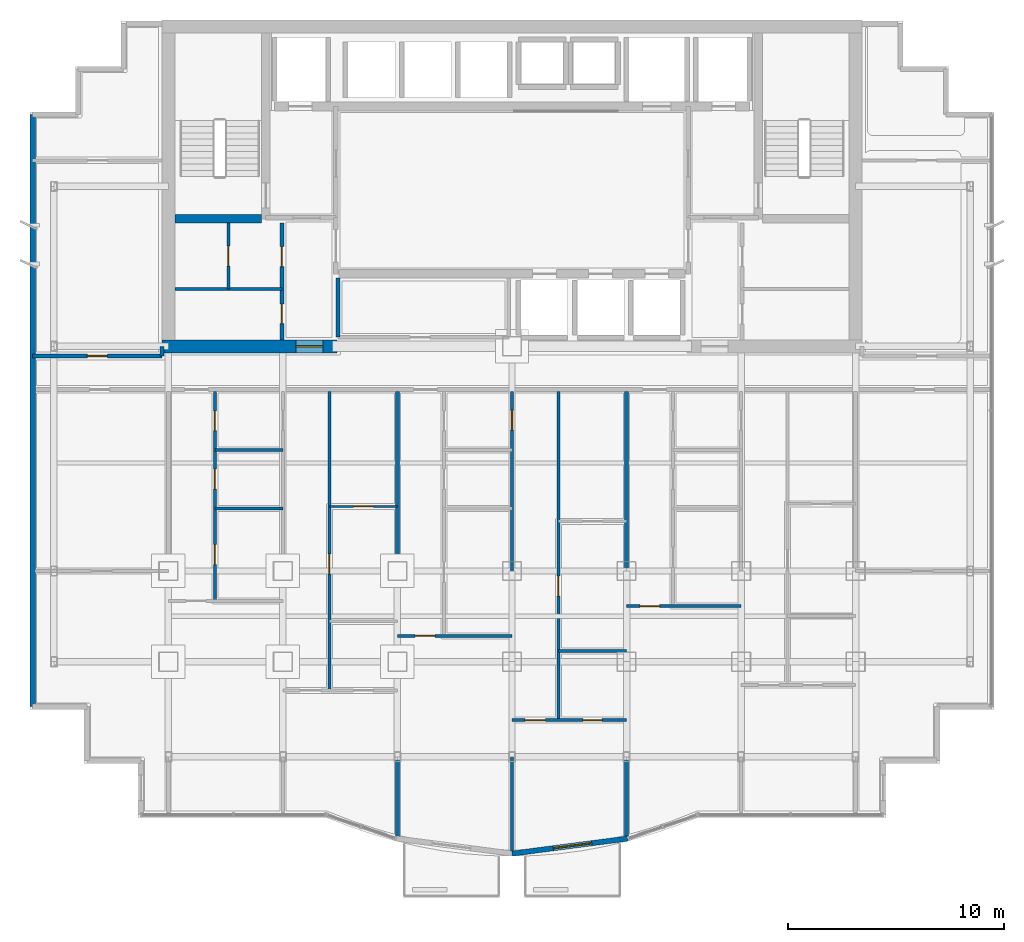
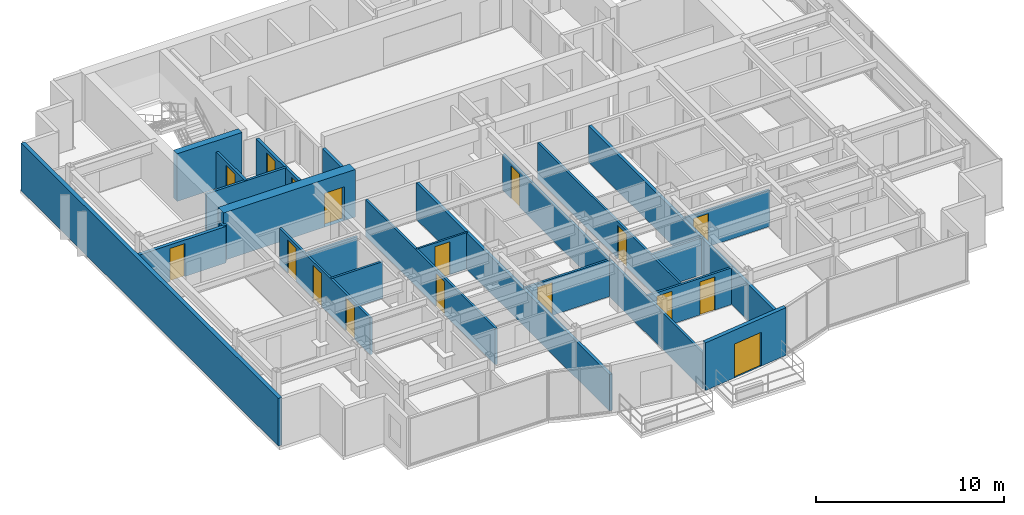
# One storey, part 8 of 13: 23 walls, 17 doors, 17 openings.
"""IFC4 building model written with IfcOpenShell, lengths in metres."""

from ifc_helpers import new_model, si_unit, direction, frame, frame_2d, origin, place, context, subcontext, project, spatial, rectangle, extrude, material, layer, layer_set, type_object, element, fill, save


model = new_model("IFC4")

# Units and contexts
model_context = context("Model", 3, precision=1e-05, world=origin(), true_north=direction((0.0, 1.0)))
body_context = subcontext(model_context, "Body", "Model", "MODEL_VIEW")
ifc_project = project(units=[si_unit("LENGTHUNIT", "METRE"), si_unit("AREAUNIT", "SQUARE_METRE"), si_unit("VOLUMEUNIT", "CUBIC_METRE"), si_unit("PLANEANGLEUNIT", "RADIAN"), si_unit("MASSUNIT", "GRAM", prefix="KILO")], contexts=[model_context])

# Site, building, storey
site_placement = place(None, origin())
site = spatial("IfcSite", under=ifc_project, at=site_placement, CompositionType="ELEMENT")
building_placement = place(site_placement, origin())
building = spatial("IfcBuilding", under=site, at=building_placement, Name="Qianlan Lanfeng Residences", CompositionType="ELEMENT")
storey_placement = place(building_placement, frame((0.0, 0.0, 162.300048828125)))
storey = spatial("IfcBuildingStorey", under=building, at=storey_placement, Name="L44", CompositionType="ELEMENT", Elevation=162.300048828125)

# Wall
ifc_material_1 = material(Name="Concrete C56", Category="concrete")
ifc_layer_1 = layer(ifc_material_1, 0.39990234375)
ifc_layer_set_1 = layer_set([ifc_layer_1], Name="Concrete C56")
wall_type_1 = type_object("IfcWallType", Name="CW-RC-400", PredefinedType="SHEAR", material=ifc_layer_set_1)
wall_1_placement = place(storey_placement, frame((10.89990234375, 31.10009765625, 0.0), z_axis=(0.0, 0.0, 1.0), x_axis=(1.0, 0.0, 0.0)))
element("IfcWall", 1, at=wall_1_placement, inside=storey, type_object=wall_type_1, Name="L44 Core Shear Wall ST1S", PredefinedType="SHEAR", context=body_context, shape_type="SweptSolid", body=[
    extrude(rectangle(XDim=4.0, YDim=0.39990234375, at=frame_2d((2.0, 0.0))), origin(), (0.0, 0.0, 1.0), 3.099853515625),
])

# Wall, opening, door
ifc_layer_2 = layer(ifc_material_1, 0.60009765625)
ifc_layer_set_2 = layer_set([ifc_layer_2], Name="Concrete C56")
wall_type_2 = type_object("IfcWallType", Name="CW-RC-600", PredefinedType="SHEAR", material=ifc_layer_set_2)
wall_2_placement = place(storey_placement, frame((10.300048828125, 25.199951171875, 0.0), z_axis=(0.0, 0.0, 1.0), x_axis=(1.0, 0.0, 0.0)))
wall_2 = element("IfcWall", 2, at=wall_2_placement, inside=storey, type_object=wall_type_2, Name="L44 Core Shear Wall SW", PredefinedType="SHEAR", context=body_context, shape_type="SweptSolid", body=[
    extrude(rectangle(XDim=8.099853515625, YDim=0.60009765625, at=frame_2d((4.0498046875, 0.0))), origin(), (0.0, 0.0, 1.0), 3.099853515625),
])
opening_1_placement = place(wall_2_placement, frame((6.199951171875, 0.0, 0.0)))
opening_1 = element("IfcOpeningElement", 3, at=opening_1_placement, cuts=wall_2, Name="Opening L44-D01", PredefinedType="OPENING", context=body_context, shape_type="SweptSolid", body=[
    extrude(rectangle(XDim=1.25, YDim=2.199951171875, at=frame_2d((0.625, 1.10009765625))), frame((0.0, 0.31005859375, 0.0), z_axis=(0.0, -1.0, 0.0), x_axis=(1.0, 0.0, 0.0)), (0.0, 0.0, 1.0), 0.6201171875),
])
ifc_material_2 = material(Name="Painted Galvanised Steel Fire Door", Category="steel")
door_type_1 = type_object("IfcDoorType", Name="DT-FFL", OperationType="NOTDEFINED", PredefinedType="DOOR", material=ifc_material_2)
door_1_placement = place(opening_1_placement, origin())
door_1 = element("IfcDoor", 4, at=door_1_placement, inside=storey, type_object=door_type_1, Name="L44 West Core Lobby Smoke Door L44-D01 (DT-FFL)", OperationType="SINGLE_SWING_RIGHT", OverallHeight=2.199951171875, OverallWidth=1.25, PredefinedType="DOOR", context=body_context, shape_type="SweptSolid", body=[
    extrude(rectangle(XDim=1.25, YDim=2.199951171875, at=frame_2d((0.625, 1.10009765625))), frame((0.0, 0.02490234375, 0.0), z_axis=(0.0, -1.0, 0.0), x_axis=(1.0, 0.0, 0.0)), (0.0, 0.0, 1.0), 0.050048828125),
])
fill(opening_1, door_1)

ifc_material_3 = material(Name="Concrete C42", Category="concrete")
ifc_layer_3 = layer(ifc_material_3, 0.239990234375)
ifc_layer_set_3 = layer_set([ifc_layer_3], Name="Concrete C42")
wall_type_3 = type_object("IfcWallType", Name="EW-240", PredefinedType="SOLIDWALL", material=ifc_layer_set_3)
wall_3_placement = place(storey_placement, frame((26.5, 1.719970703125, 0.0), z_axis=(0.0, 0.0, 1.0), x_axis=(0.991594614239, 0.129383619568, 0.0)))
wall_3 = element("IfcWall", 5, at=wall_3_placement, inside=storey, type_object=wall_type_3, Name="L44 Terrace/Balcony Access Exterior Wall 6", PredefinedType="SOLIDWALL", context=body_context, shape_type="SweptSolid", body=[
    extrude(rectangle(XDim=5.40234375, YDim=0.239990234375, at=frame_2d((2.701171875, 0.0))), origin(), (0.0, 0.0, 1.0), 3.099853515625),
])
opening_2_placement = place(wall_3_placement, frame((1.930908203125, 0.0, 0.0)))
opening_2 = element("IfcOpeningElement", 6, at=opening_2_placement, cuts=wall_3, Name="Opening L44-D-SB-E", PredefinedType="OPENING", context=body_context, shape_type="SweptSolid", body=[
    extrude(rectangle(XDim=1.800048828125, YDim=2.199951171875, at=frame_2d((0.89990234375, 1.10009765625))), frame((0.0, 0.1298828125, 0.0), z_axis=(0.0, -1.0, 0.0), x_axis=(1.0, 0.0, 0.0)), (0.0, 0.0, 1.0), 0.260009765625),
])
ifc_material_4 = material(Name="Anodised Bronze Aluminium Framed Glass", Category="aluminium")
door_type_2 = type_object("IfcDoorType", Name="DT-BAL1", OperationType="NOTDEFINED", PredefinedType="DOOR", material=ifc_material_4)
door_2_placement = place(opening_2_placement, frame((1.800048828125, 0.0, 0.0), z_axis=(0.0, 0.0, 1.0), x_axis=(-1.0, 0.0, 0.0)))
door_2 = element("IfcDoor", 7, at=door_2_placement, inside=storey, type_object=door_type_2, Name="L44 Exterior Access Door SB-E", OperationType="DOUBLE_DOOR_SLIDING", OverallHeight=2.199951171875, OverallWidth=1.800048828125, PredefinedType="DOOR", context=body_context, shape_type="SweptSolid", body=[
    extrude(rectangle(XDim=1.800048828125, YDim=2.199951171875, at=frame_2d((0.89990234375, 1.10009765625))), frame((0.0, 0.02490234375, 0.0), z_axis=(0.0, -1.0, 0.0), x_axis=(1.0, 0.0, 0.0)), (0.0, 0.0, 1.0), 0.050048828125),
])
fill(opening_2, door_2)

# Wall
wall_4_placement = place(storey_placement, frame((4.320068359375, 35.929931640625, 0.0), z_axis=(0.0, 0.0, 1.0), x_axis=(0.0, -1.0, 0.0)))
element("IfcWall", 8, at=wall_4_placement, inside=storey, type_object=wall_type_3, Name="L44 Exterior Facade Spandrel Wall 21", PredefinedType="SOLIDWALL", context=body_context, shape_type="SweptSolid", body=[
    extrude(rectangle(XDim=27.409912109375, YDim=0.239990234375, at=frame_2d((13.705078125, 0.0))), origin(), (0.0, 0.0, 1.0), 3.099853515625),
])

# Wall, opening, door
ifc_material_5 = material(Name="Demountable Acoustic Framing Partition 110 mm")
ifc_layer_4 = layer(ifc_material_5, 0.110107421875)
ifc_layer_set_4 = layer_set([ifc_layer_4], Name="Demountable Acoustic Framing Partition 110 mm")
wall_type_4 = type_object("IfcWallType", Name="PW-110", PredefinedType="MOVABLE", material=ifc_layer_set_4)
wall_5_placement = place(storey_placement, frame((18.050048828125, 17.787109375, 0.0), z_axis=(0.0, 0.0, 1.0), x_axis=(1.0, 0.0, 0.0)))
wall_5 = element("IfcWall", 9, at=wall_5_placement, inside=storey, type_object=wall_type_4, Name="L44 U01 Wardrobe Split", PredefinedType="MOVABLE", context=body_context, shape_type="SweptSolid", body=[
    extrude(rectangle(XDim=3.14990234375, YDim=0.110107421875, at=frame_2d((1.574951171875, 0.0))), origin(), (0.0, 0.0, 1.0), 2.3798828125),
])
opening_3_placement = place(wall_5_placement, frame((1.114990234375, 0.0, 0.0)))
opening_3 = element("IfcOpeningElement", 10, at=opening_3_placement, cuts=wall_5, Name="Opening L44-D26", PredefinedType="OPENING", context=body_context, shape_type="SweptSolid", body=[
    extrude(rectangle(XDim=0.919921875, YDim=2.14990234375, at=frame_2d((0.4599609375, 1.074951171875))), frame((0.0, 0.06494140625, 0.0), z_axis=(0.0, -1.0, 0.0), x_axis=(1.0, 0.0, 0.0)), (0.0, 0.0, 1.0), 0.130126953125),
])
ifc_material_6 = material(Name="Glazed Timber Kitchen/Study Door", Category="wood")
door_type_3 = type_object("IfcDoorType", Name="DT-INT", OperationType="NOTDEFINED", PredefinedType="DOOR", material=ifc_material_6)
door_3_placement = place(opening_3_placement, origin())
door_3 = element("IfcDoor", 11, at=door_3_placement, inside=storey, type_object=door_type_3, Name="L44 U01 Dressing Inner Door L44-D26 (DT-INT)", OperationType="SINGLE_SWING_LEFT", OverallHeight=2.14990234375, OverallWidth=0.919921875, PredefinedType="DOOR", context=body_context, shape_type="SweptSolid", body=[
    extrude(rectangle(XDim=0.919921875, YDim=2.14990234375, at=frame_2d((0.4599609375, 1.074951171875))), frame((0.0, 0.02490234375, 0.0), z_axis=(0.0, -1.0, 0.0), x_axis=(1.0, 0.0, 0.0)), (0.0, 0.0, 1.0), 0.050048828125),
])
fill(opening_3, door_3)

# Wall, openings, doors
ifc_material_7 = material(Name="Moisture-Resistant Gypsum Partition 135 mm")
ifc_layer_5 = layer(ifc_material_7, 0.135009765625)
ifc_layer_set_5 = layer_set([ifc_layer_5], Name="Moisture-Resistant Gypsum Partition 135 mm")
wall_type_5 = type_object("IfcWallType", Name="PW-135", PredefinedType="PARTITIONING", material=ifc_layer_set_5)
wall_6_placement = place(storey_placement, frame((12.75, 13.419921875, 0.0), z_axis=(0.0, 0.0, 1.0), x_axis=(0.0, 1.0, 0.0)))
wall_6 = element("IfcWall", 12, at=wall_6_placement, inside=storey, type_object=wall_type_5, Name="L44 U01 Entry Hall Spine", PredefinedType="PARTITIONING", context=body_context, shape_type="SweptSolid", body=[
    extrude(rectangle(XDim=9.68017578125, YDim=0.135009765625, at=frame_2d((4.840087890625, 0.0))), origin(), (0.0, 0.0, 1.0), 2.3798828125),
])
opening_4_placement = place(wall_6_placement, frame((1.679931640625, 0.0, 0.0)))
opening_4 = element("IfcOpeningElement", 13, at=opening_4_placement, cuts=wall_6, Name="Opening L44-D20", PredefinedType="OPENING", context=body_context, shape_type="SweptSolid", body=[
    extrude(rectangle(XDim=0.919921875, YDim=2.14990234375, at=frame_2d((0.4599609375, 1.074951171875))), frame((0.0, 0.07763671875, 0.0), z_axis=(0.0, -1.0, 0.0), x_axis=(1.0, 0.0, 0.0)), (0.0, 0.0, 1.0), 0.155029296875),
])
opening_5_placement = place(wall_6_placement, frame((5.169921875, 0.0, 0.0)))
opening_5 = element("IfcOpeningElement", 14, at=opening_5_placement, cuts=wall_6, Name="Opening L44-D21", PredefinedType="OPENING", context=body_context, shape_type="SweptSolid", body=[
    extrude(rectangle(XDim=0.919921875, YDim=2.14990234375, at=frame_2d((0.4599609375, 1.074951171875))), frame((0.0, 0.07763671875, 0.0), z_axis=(0.0, -1.0, 0.0), x_axis=(1.0, 0.0, 0.0)), (0.0, 0.0, 1.0), 0.155029296875),
])
opening_6_placement = place(wall_6_placement, frame((7.8798828125, 0.0, 0.0)))
opening_6 = element("IfcOpeningElement", 15, at=opening_6_placement, cuts=wall_6, Name="Opening L44-D22", PredefinedType="OPENING", context=body_context, shape_type="SweptSolid", body=[
    extrude(rectangle(XDim=0.89990234375, YDim=2.14990234375, at=frame_2d((0.449951171875, 1.074951171875))), frame((0.0, 0.07763671875, 0.0), z_axis=(0.0, -1.0, 0.0), x_axis=(1.0, 0.0, 0.0)), (0.0, 0.0, 1.0), 0.155029296875),
])
door_4_placement = place(opening_4_placement, origin())
door_4 = element("IfcDoor", 16, at=door_4_placement, inside=storey, type_object=door_type_3, Name="L44 U01 Study Door L44-D20 (DT-INT)", OperationType="SINGLE_SWING_LEFT", OverallHeight=2.14990234375, OverallWidth=0.919921875, PredefinedType="DOOR", context=body_context, shape_type="SweptSolid", body=[
    extrude(rectangle(XDim=0.919921875, YDim=2.14990234375, at=frame_2d((0.4599609375, 1.074951171875))), frame((0.0, 0.02490234375, 0.0), z_axis=(0.0, -1.0, 0.0), x_axis=(1.0, 0.0, 0.0)), (0.0, 0.0, 1.0), 0.050048828125),
])
fill(opening_4, door_4)
door_5_placement = place(opening_5_placement, origin())
door_5 = element("IfcDoor", 17, at=door_5_placement, inside=storey, type_object=door_type_3, Name="L44 U01 Kitchen Door L44-D21 (DT-INT)", OperationType="SINGLE_SWING_RIGHT", OverallHeight=2.14990234375, OverallWidth=0.919921875, PredefinedType="DOOR", context=body_context, shape_type="SweptSolid", body=[
    extrude(rectangle(XDim=0.919921875, YDim=2.14990234375, at=frame_2d((0.4599609375, 1.074951171875))), frame((0.0, 0.02490234375, 0.0), z_axis=(0.0, -1.0, 0.0), x_axis=(1.0, 0.0, 0.0)), (0.0, 0.0, 1.0), 0.050048828125),
])
fill(opening_5, door_5)
ifc_material_8 = material(Name="Moisture-Resistant Timber Leaf", Category="wood")
door_type_4 = type_object("IfcDoorType", Name="DT-WC", OperationType="NOTDEFINED", PredefinedType="DOOR", material=ifc_material_8)
door_6_placement = place(opening_6_placement, origin())
door_6 = element("IfcDoor", 18, at=door_6_placement, inside=storey, type_object=door_type_4, Name="L44 U01 Bathroom Door L44-D22 (DT-WC)", OperationType="SINGLE_SWING_LEFT", OverallHeight=2.14990234375, OverallWidth=0.89990234375, PredefinedType="DOOR", context=body_context, shape_type="SweptSolid", body=[
    extrude(rectangle(XDim=0.89990234375, YDim=2.14990234375, at=frame_2d((0.449951171875, 1.074951171875))), frame((0.0, 0.02490234375, 0.0), z_axis=(0.0, -1.0, 0.0), x_axis=(1.0, 0.0, 0.0)), (0.0, 0.0, 1.0), 0.050048828125),
])
fill(opening_6, door_6)

# Walls
for number, where, z_axis, x_axis, name in (
    (19, (12.75, 17.699951171875, 0.0), (0.0, 0.0, 1.0), (1.0, 0.0, 0.0), "L44 U01 Kitchen South Wall"),
    (20, (12.75, 20.39990234375, 0.0), (0.0, 0.0, 1.0), (1.0, 0.0, 0.0), "L44 U01 Bathroom South Wall"),
):
    element("IfcWall", number, at=place(storey_placement, frame(where, z_axis=z_axis, x_axis=x_axis)), inside=storey, type_object=wall_type_5, Name=name, PredefinedType="PARTITIONING", context=body_context, shape_type="SweptSolid", body=[
        extrude(rectangle(XDim=3.14990234375, YDim=0.135009765625, at=frame_2d((1.574951171875, 0.0))), origin(), (0.0, 0.0, 1.0), 2.3798828125),
    ])

# Wall, opening, door
wall_7_placement = place(storey_placement, frame((18.050048828125, 9.27392578125, 0.0), z_axis=(0.0, 0.0, 1.0), x_axis=(0.0, 1.0, 0.0)))
wall_7 = element("IfcWall", 21, at=wall_7_placement, inside=storey, type_object=wall_type_5, Name="L44 U01 Master Passage Wall", PredefinedType="PARTITIONING", context=body_context, shape_type="SweptSolid", body=[
    extrude(rectangle(XDim=13.826171875, YDim=0.135009765625, at=frame_2d((6.9130859375, 0.0))), origin(), (0.0, 0.0, 1.0), 2.3798828125),
])
opening_7_placement = place(wall_7_placement, frame((5.39599609375, 0.0, 0.0)))
opening_7 = element("IfcOpeningElement", 22, at=opening_7_placement, cuts=wall_7, Name="Opening L44-D25", PredefinedType="OPENING", context=body_context, shape_type="SweptSolid", body=[
    extrude(rectangle(XDim=0.919921875, YDim=2.14990234375, at=frame_2d((0.4599609375, 1.074951171875))), frame((0.0, 0.07763671875, 0.0), z_axis=(0.0, -1.0, 0.0), x_axis=(1.0, 0.0, 0.0)), (0.0, 0.0, 1.0), 0.155029296875),
])
door_7_placement = place(opening_7_placement, origin())
door_7 = element("IfcDoor", 23, at=door_7_placement, inside=storey, type_object=door_type_3, Name="L44 U01 Wardrobe Door L44-D25 (DT-INT)", OperationType="SINGLE_SWING_RIGHT", OverallHeight=2.14990234375, OverallWidth=0.919921875, PredefinedType="DOOR", context=body_context, shape_type="SweptSolid", body=[
    extrude(rectangle(XDim=0.919921875, YDim=2.14990234375, at=frame_2d((0.4599609375, 1.074951171875))), frame((0.0, 0.02490234375, 0.0), z_axis=(0.0, -1.0, 0.0), x_axis=(1.0, 0.0, 0.0)), (0.0, 0.0, 1.0), 0.050048828125),
])
fill(opening_7, door_7)

wall_8_placement = place(storey_placement, frame((26.5, 1.820068359375, 0.0), z_axis=(0.0, 0.0, 1.0), x_axis=(0.0, 1.0, 0.0)))
wall_8 = element("IfcWall", 24, at=wall_8_placement, inside=storey, type_object=wall_type_5, Name="L44 U02 Bay Spine Wall 1", PredefinedType="PARTITIONING", context=body_context, shape_type="SweptSolid", body=[
    extrude(rectangle(XDim=21.280029296875, YDim=0.135009765625, at=frame_2d((10.64013671875, 0.0))), origin(), (0.0, 0.0, 1.0), 2.3798828125),
])
opening_8_placement = place(wall_8_placement, frame((19.4951171875, 0.0, 0.0)))
opening_8 = element("IfcOpeningElement", 25, at=opening_8_placement, cuts=wall_8, Name="Opening L44-D28", PredefinedType="OPENING", context=body_context, shape_type="SweptSolid", body=[
    extrude(rectangle(XDim=0.919921875, YDim=2.14990234375, at=frame_2d((0.4599609375, 1.074951171875))), frame((0.0, 0.07763671875, 0.0), z_axis=(0.0, -1.0, 0.0), x_axis=(1.0, 0.0, 0.0)), (0.0, 0.0, 1.0), 0.155029296875),
])
door_8_placement = place(opening_8_placement, origin())
door_8 = element("IfcDoor", 26, at=door_8_placement, inside=storey, type_object=door_type_3, Name="L44 U02 Internal Hall Door L44-D28 (DT-INT)", OperationType="SINGLE_SWING_LEFT", OverallHeight=2.14990234375, OverallWidth=0.919921875, PredefinedType="DOOR", context=body_context, shape_type="SweptSolid", body=[
    extrude(rectangle(XDim=0.919921875, YDim=2.14990234375, at=frame_2d((0.4599609375, 1.074951171875))), frame((0.0, 0.02490234375, 0.0), z_axis=(0.0, -1.0, 0.0), x_axis=(1.0, 0.0, 0.0)), (0.0, 0.0, 1.0), 0.050048828125),
])
fill(opening_8, door_8)

wall_9_placement = place(storey_placement, frame((21.199951171875, 11.799072265625, 0.0), z_axis=(0.0, 0.0, 1.0), x_axis=(1.0, 0.0, 0.0)))
wall_9 = element("IfcWall", 27, at=wall_9_placement, inside=storey, type_object=wall_type_5, Name="L44 U02 Living Divider", PredefinedType="PARTITIONING", context=body_context, shape_type="SweptSolid", body=[
    extrude(rectangle(XDim=5.300048828125, YDim=0.135009765625, at=frame_2d((2.64990234375, 0.0))), origin(), (0.0, 0.0, 1.0), 2.3798828125),
])
opening_9_placement = place(wall_9_placement, frame((0.81494140625, 0.0, 0.0)))
opening_9 = element("IfcOpeningElement", 28, at=opening_9_placement, cuts=wall_9, Name="Opening L44-D29", PredefinedType="OPENING", context=body_context, shape_type="SweptSolid", body=[
    extrude(rectangle(XDim=0.919921875, YDim=2.14990234375, at=frame_2d((0.4599609375, 1.074951171875))), frame((0.0, 0.07763671875, 0.0), z_axis=(0.0, -1.0, 0.0), x_axis=(1.0, 0.0, 0.0)), (0.0, 0.0, 1.0), 0.155029296875),
])
door_9_placement = place(opening_9_placement, origin())
door_9 = element("IfcDoor", 29, at=door_9_placement, inside=storey, type_object=door_type_3, Name="L44 U02 Living Passage Door L44-D29 (DT-INT)", OperationType="SINGLE_SWING_LEFT", OverallHeight=2.14990234375, OverallWidth=0.919921875, PredefinedType="DOOR", context=body_context, shape_type="SweptSolid", body=[
    extrude(rectangle(XDim=0.919921875, YDim=2.14990234375, at=frame_2d((0.4599609375, 1.074951171875))), frame((0.0, 0.02490234375, 0.0), z_axis=(0.0, -1.0, 0.0), x_axis=(1.0, 0.0, 0.0)), (0.0, 0.0, 1.0), 0.050048828125),
])
fill(opening_9, door_9)

# Wall, openings, doors
wall_10_placement = place(storey_placement, frame((26.5, 7.89892578125, 0.0), z_axis=(0.0, 0.0, 1.0), x_axis=(1.0, 0.0, 0.0)))
wall_10 = element("IfcWall", 30, at=wall_10_placement, inside=storey, type_object=wall_type_5, Name="L44 U02 Master Bedroom North Wall", PredefinedType="PARTITIONING", context=body_context, shape_type="SweptSolid", body=[
    extrude(rectangle(XDim=5.300048828125, YDim=0.135009765625, at=frame_2d((2.64990234375, 0.0))), origin(), (0.0, 0.0, 1.0), 2.3798828125),
])
opening_10_placement = place(wall_10_placement, frame((0.60009765625, 0.0, 0.0)))
opening_10 = element("IfcOpeningElement", 31, at=opening_10_placement, cuts=wall_10, Name="Opening L44-D33", PredefinedType="OPENING", context=body_context, shape_type="SweptSolid", body=[
    extrude(rectangle(XDim=0.949951171875, YDim=2.14990234375, at=frame_2d((0.47509765625, 1.074951171875))), frame((0.0, 0.07763671875, 0.0), z_axis=(0.0, -1.0, 0.0), x_axis=(1.0, 0.0, 0.0)), (0.0, 0.0, 1.0), 0.155029296875),
])
opening_11_placement = place(wall_10_placement, frame((3.27490234375, 0.0, 0.0)))
opening_11 = element("IfcOpeningElement", 32, at=opening_11_placement, cuts=wall_10, Name="Opening L44-D34", PredefinedType="OPENING", context=body_context, shape_type="SweptSolid", body=[
    extrude(rectangle(XDim=0.89990234375, YDim=2.14990234375, at=frame_2d((0.449951171875, 1.074951171875))), frame((0.0, 0.07763671875, 0.0), z_axis=(0.0, -1.0, 0.0), x_axis=(1.0, 0.0, 0.0)), (0.0, 0.0, 1.0), 0.155029296875),
])
ifc_material_9 = material(Name="Painted Solid-Core Timber Leaf", Category="wood")
door_type_5 = type_object("IfcDoorType", Name="DT-BED", OperationType="NOTDEFINED", PredefinedType="DOOR", material=ifc_material_9)
door_10_placement = place(opening_10_placement, frame((0.949951171875, 0.0, 0.0), z_axis=(0.0, 0.0, 1.0), x_axis=(-1.0, 0.0, 0.0)))
door_10 = element("IfcDoor", 33, at=door_10_placement, inside=storey, type_object=door_type_5, Name="L44 U02 Master Bedroom Door L44-D33 (DT-BED)", OperationType="SINGLE_SWING_RIGHT", OverallHeight=2.14990234375, OverallWidth=0.949951171875, PredefinedType="DOOR", context=body_context, shape_type="SweptSolid", body=[
    extrude(rectangle(XDim=0.949951171875, YDim=2.14990234375, at=frame_2d((0.47509765625, 1.074951171875))), frame((0.0, 0.02490234375, 0.0), z_axis=(0.0, -1.0, 0.0), x_axis=(1.0, 0.0, 0.0)), (0.0, 0.0, 1.0), 0.050048828125),
])
fill(opening_10, door_10)
door_11_placement = place(opening_11_placement, origin())
door_11 = element("IfcDoor", 34, at=door_11_placement, inside=storey, type_object=door_type_4, Name="L44 U02 En-Suite Bathroom Door L44-D34 (DT-WC)", OperationType="SINGLE_SWING_LEFT", OverallHeight=2.14990234375, OverallWidth=0.89990234375, PredefinedType="DOOR", context=body_context, shape_type="SweptSolid", body=[
    extrude(rectangle(XDim=0.89990234375, YDim=2.14990234375, at=frame_2d((0.449951171875, 1.074951171875))), frame((0.0, 0.02490234375, 0.0), z_axis=(0.0, -1.0, 0.0), x_axis=(1.0, 0.0, 0.0)), (0.0, 0.0, 1.0), 0.050048828125),
])
fill(opening_11, door_11)

# Wall, opening, door
wall_11_placement = place(storey_placement, frame((28.64990234375, 7.89892578125, 0.0), z_axis=(0.0, 0.0, 1.0), x_axis=(0.0, 1.0, 0.0)))
wall_11 = element("IfcWall", 35, at=wall_11_placement, inside=storey, type_object=wall_type_5, Name="L44 U02 Master Passage Wall", PredefinedType="PARTITIONING", context=body_context, shape_type="SweptSolid", body=[
    extrude(rectangle(XDim=15.201171875, YDim=0.135009765625, at=frame_2d((7.6005859375, 0.0))), origin(), (0.0, 0.0, 1.0), 2.3798828125),
])
opening_12_placement = place(wall_11_placement, frame((5.739990234375, 0.0, 0.0)))
opening_12 = element("IfcOpeningElement", 36, at=opening_12_placement, cuts=wall_11, Name="Opening L44-D35", PredefinedType="OPENING", context=body_context, shape_type="SweptSolid", body=[
    extrude(rectangle(XDim=0.919921875, YDim=2.14990234375, at=frame_2d((0.4599609375, 1.074951171875))), frame((0.0, 0.07763671875, 0.0), z_axis=(0.0, -1.0, 0.0), x_axis=(1.0, 0.0, 0.0)), (0.0, 0.0, 1.0), 0.155029296875),
])
door_12_placement = place(opening_12_placement, origin())
door_12 = element("IfcDoor", 37, at=door_12_placement, inside=storey, type_object=door_type_3, Name="L44 U02 Wardrobe Door L44-D35 (DT-INT)", OperationType="SINGLE_SWING_RIGHT", OverallHeight=2.14990234375, OverallWidth=0.919921875, PredefinedType="DOOR", context=body_context, shape_type="SweptSolid", body=[
    extrude(rectangle(XDim=0.919921875, YDim=2.14990234375, at=frame_2d((0.4599609375, 1.074951171875))), frame((0.0, 0.02490234375, 0.0), z_axis=(0.0, -1.0, 0.0), x_axis=(1.0, 0.0, 0.0)), (0.0, 0.0, 1.0), 0.050048828125),
])
fill(opening_12, door_12)

# Wall
wall_12_placement = place(storey_placement, frame((28.64990234375, 11.09912109375, 0.0), z_axis=(0.0, 0.0, 1.0), x_axis=(1.0, 0.0, 0.0)))
element("IfcWall", 38, at=wall_12_placement, inside=storey, type_object=wall_type_5, Name="L44 U02 En-Suite North Wall", PredefinedType="PARTITIONING", context=body_context, shape_type="SweptSolid", body=[
    extrude(rectangle(XDim=3.150146484375, YDim=0.135009765625, at=frame_2d((1.5751953125, 0.0))), origin(), (0.0, 0.0, 1.0), 2.3798828125),
])

# Wall, opening, door
wall_13_placement = place(storey_placement, frame((31.800048828125, 13.174072265625, 0.0), z_axis=(0.0, 0.0, 1.0), x_axis=(1.0, 0.0, 0.0)))
wall_13 = element("IfcWall", 39, at=wall_13_placement, inside=storey, type_object=wall_type_5, Name="L44 U03 Living Divider", PredefinedType="PARTITIONING", context=body_context, shape_type="SweptSolid", body=[
    extrude(rectangle(XDim=5.300048828125, YDim=0.135009765625, at=frame_2d((2.64990234375, 0.0))), origin(), (0.0, 0.0, 1.0), 2.3798828125),
])
opening_13_placement = place(wall_13_placement, frame((0.614990234375, 0.0, 0.0)))
opening_13 = element("IfcOpeningElement", 40, at=opening_13_placement, cuts=wall_13, Name="Opening L44-D39", PredefinedType="OPENING", context=body_context, shape_type="SweptSolid", body=[
    extrude(rectangle(XDim=0.919921875, YDim=2.14990234375, at=frame_2d((0.4599609375, 1.074951171875))), frame((0.0, 0.07763671875, 0.0), z_axis=(0.0, -1.0, 0.0), x_axis=(1.0, 0.0, 0.0)), (0.0, 0.0, 1.0), 0.155029296875),
])
door_13_placement = place(opening_13_placement, frame((0.919921875, 0.0, 0.0), z_axis=(0.0, 0.0, 1.0), x_axis=(-1.0, 0.0, 0.0)))
door_13 = element("IfcDoor", 41, at=door_13_placement, inside=storey, type_object=door_type_3, Name="L44 U03 Living Passage Door L44-D39 (DT-INT)", OperationType="SINGLE_SWING_RIGHT", OverallHeight=2.14990234375, OverallWidth=0.919921875, PredefinedType="DOOR", context=body_context, shape_type="SweptSolid", body=[
    extrude(rectangle(XDim=0.919921875, YDim=2.14990234375, at=frame_2d((0.4599609375, 1.074951171875))), frame((0.0, 0.02490234375, 0.0), z_axis=(0.0, -1.0, 0.0), x_axis=(1.0, 0.0, 0.0)), (0.0, 0.0, 1.0), 0.050048828125),
])
fill(opening_13, door_13)

# Wall
ifc_material_10 = material(Name="Acoustic Drywall Partition 150 mm")
ifc_layer_6 = layer(ifc_material_10, 0.14990234375)
ifc_layer_set_6 = layer_set([ifc_layer_6], Name="Acoustic Drywall Partition 150 mm")
wall_type_6 = type_object("IfcWallType", Name="PW-150", PredefinedType="PARTITIONING", material=ifc_layer_set_6)
wall_14_placement = place(storey_placement, frame((10.89990234375, 27.85009765625, 0.0), z_axis=(0.0, 0.0, 1.0), x_axis=(1.0, 0.0, 0.0)))
element("IfcWall", 42, at=wall_14_placement, inside=storey, type_object=wall_type_6, Name="L44 Core West H4", PredefinedType="PARTITIONING", context=body_context, shape_type="SweptSolid", body=[
    extrude(rectangle(XDim=4.9501953125, YDim=0.14990234375, at=frame_2d((2.47509765625, 0.0))), origin(), (0.0, 0.0, 1.0), 2.3798828125),
])

# Wall, opening, door
wall_15_placement = place(storey_placement, frame((13.375, 27.85009765625, 0.0), z_axis=(0.0, 0.0, 1.0), x_axis=(0.0, 1.0, 0.0)))
wall_15 = element("IfcWall", 43, at=wall_15_placement, inside=storey, type_object=wall_type_6, Name="L44 Core West V4", PredefinedType="PARTITIONING", context=body_context, shape_type="SweptSolid", body=[
    extrude(rectangle(XDim=3.0498046875, YDim=0.14990234375, at=frame_2d((1.52490234375, 0.0))), origin(), (0.0, 0.0, 1.0), 2.3798828125),
])
opening_14_placement = place(wall_15_placement, frame((1.06494140625, 0.0, 0.0)))
opening_14 = element("IfcOpeningElement", 44, at=opening_14_placement, cuts=wall_15, Name="Opening L44-D11", PredefinedType="OPENING", context=body_context, shape_type="SweptSolid", body=[
    extrude(rectangle(XDim=0.919921875, YDim=2.14990234375, at=frame_2d((0.4599609375, 1.074951171875))), frame((0.0, 0.0849609375, 0.0), z_axis=(0.0, -1.0, 0.0), x_axis=(1.0, 0.0, 0.0)), (0.0, 0.0, 1.0), 0.169921875),
])
door_14_placement = place(opening_14_placement, origin())
door_14 = element("IfcDoor", 45, at=door_14_placement, inside=storey, type_object=door_type_3, Name="L44 Linen Store Door L44-D11 (DT-INT)", OperationType="SINGLE_SWING_RIGHT", OverallHeight=2.14990234375, OverallWidth=0.919921875, PredefinedType="DOOR", context=body_context, shape_type="SweptSolid", body=[
    extrude(rectangle(XDim=0.919921875, YDim=2.14990234375, at=frame_2d((0.4599609375, 1.074951171875))), frame((0.0, 0.02490234375, 0.0), z_axis=(0.0, -1.0, 0.0), x_axis=(1.0, 0.0, 0.0)), (0.0, 0.0, 1.0), 0.050048828125),
])
fill(opening_14, door_14)

# Wall, openings, doors
ifc_material_11 = material(Name="Double-Layer Acoustic Gypsum Stud Wall 180 mm")
ifc_layer_7 = layer(ifc_material_11, 0.179931640625)
ifc_layer_set_7 = layer_set([ifc_layer_7], Name="Double-Layer Acoustic Gypsum Stud Wall 180 mm")
wall_type_7 = type_object("IfcWallType", Name="PW-180", PredefinedType="PARTITIONING", material=ifc_layer_set_7)
wall_16_placement = place(storey_placement, frame((15.85009765625, 25.5, 0.0), z_axis=(0.0, 0.0, 1.0), x_axis=(0.0, 1.0, 0.0)))
wall_16 = element("IfcWall", 46, at=wall_16_placement, inside=storey, type_object=wall_type_7, Name="L44 Core West Service Room Wall", PredefinedType="PARTITIONING", context=body_context, shape_type="SweptSolid", body=[
    extrude(rectangle(XDim=5.39990234375, YDim=0.179931640625, at=frame_2d((2.699951171875, 0.0))), origin(), (0.0, 0.0, 1.0), 2.3798828125),
])
opening_15_placement = place(wall_16_placement, frame((0.75, 0.0, 0.0)))
opening_15 = element("IfcOpeningElement", 47, at=opening_15_placement, cuts=wall_16, Name="Opening L44-D09", PredefinedType="OPENING", context=body_context, shape_type="SweptSolid", body=[
    extrude(rectangle(XDim=0.89990234375, YDim=2.14990234375, at=frame_2d((0.449951171875, 1.074951171875))), frame((0.0, 0.10009765625, 0.0), z_axis=(0.0, -1.0, 0.0), x_axis=(1.0, 0.0, 0.0)), (0.0, 0.0, 1.0), 0.199951171875),
])
opening_16_placement = place(wall_16_placement, frame((3.389892578125, 0.0, 0.0)))
opening_16 = element("IfcOpeningElement", 48, at=opening_16_placement, cuts=wall_16, Name="Opening L44-D10", PredefinedType="OPENING", context=body_context, shape_type="SweptSolid", body=[
    extrude(rectangle(XDim=0.919921875, YDim=2.14990234375, at=frame_2d((0.4599609375, 1.074951171875))), frame((0.0, 0.10009765625, 0.0), z_axis=(0.0, -1.0, 0.0), x_axis=(1.0, 0.0, 0.0)), (0.0, 0.0, 1.0), 0.199951171875),
])
door_15_placement = place(opening_16_placement, origin())
door_15 = element("IfcDoor", 49, at=door_15_placement, inside=storey, type_object=door_type_3, Name="L44 Janitor Hall Door L44-D10 (DT-INT)", OperationType="SINGLE_SWING_LEFT", OverallHeight=2.14990234375, OverallWidth=0.919921875, PredefinedType="DOOR", context=body_context, shape_type="SweptSolid", body=[
    extrude(rectangle(XDim=0.919921875, YDim=2.14990234375, at=frame_2d((0.4599609375, 1.074951171875))), frame((0.0, 0.02490234375, 0.0), z_axis=(0.0, -1.0, 0.0), x_axis=(1.0, 0.0, 0.0)), (0.0, 0.0, 1.0), 0.050048828125),
])
fill(opening_16, door_15)
door_16_placement = place(opening_15_placement, origin())
door_16 = element("IfcDoor", 50, at=door_16_placement, inside=storey, type_object=door_type_4, Name="L44 Staff WC Door L44-D09 (DT-WC)", OperationType="SINGLE_SWING_LEFT", OverallHeight=2.14990234375, OverallWidth=0.89990234375, PredefinedType="DOOR", context=body_context, shape_type="SweptSolid", body=[
    extrude(rectangle(XDim=0.89990234375, YDim=2.14990234375, at=frame_2d((0.449951171875, 1.074951171875))), frame((0.0, 0.02490234375, 0.0), z_axis=(0.0, -1.0, 0.0), x_axis=(1.0, 0.0, 0.0)), (0.0, 0.0, 1.0), 0.050048828125),
])
fill(opening_15, door_16)

# Walls
wall_17_placement = place(storey_placement, frame((18.449951171875, 25.6201171875, 0.0), z_axis=(0.0, 0.0, 1.0), x_axis=(0.0, 1.0, 0.0)))
element("IfcWall", 51, at=wall_17_placement, inside=storey, type_object=wall_type_7, Name="L44 Reclaimed Low-Bank Room West Wall", PredefinedType="PARTITIONING", context=body_context, shape_type="SweptSolid", body=[
    extrude(rectangle(XDim=2.72998046875, YDim=0.179931640625, at=frame_2d((1.364990234375, 0.0))), origin(), (0.0, 0.0, 1.0), 2.3798828125),
])
wall_18_placement = place(storey_placement, frame((21.199951171875, 2.508056640625, 0.0), z_axis=(0.0, 0.0, 1.0), x_axis=(0.0, 1.0, 0.0)))
element("IfcWall", 52, at=wall_18_placement, inside=storey, type_object=wall_type_7, Name="L44 Inter-Tenancy Party Wall 2", PredefinedType="PARTITIONING", context=body_context, shape_type="SweptSolid", body=[
    extrude(rectangle(XDim=20.592041015625, YDim=0.179931640625, at=frame_2d((10.2958984375, 0.0))), origin(), (0.0, 0.0, 1.0), 2.3798828125),
])
wall_19_placement = place(storey_placement, frame((31.800048828125, 2.509033203125, 0.0), z_axis=(0.0, 0.0, 1.0), x_axis=(0.0, 1.0, 0.0)))
element("IfcWall", 53, at=wall_19_placement, inside=storey, type_object=wall_type_7, Name="L44 Inter-Tenancy Party Wall 3", PredefinedType="PARTITIONING", context=body_context, shape_type="SweptSolid", body=[
    extrude(rectangle(XDim=20.591064453125, YDim=0.179931640625, at=frame_2d((10.29541015625, 0.0))), origin(), (0.0, 0.0, 1.0), 2.3798828125),
])

# Wall, opening, door
ifc_material_12 = material(Name="Autoclaved Aerated Concrete Blockwork 200 mm", Category="masonry")
ifc_layer_8 = layer(ifc_material_12, 0.199951171875)
ifc_layer_set_8 = layer_set([ifc_layer_8], Name="Autoclaved Aerated Concrete Blockwork 200 mm")
wall_type_8 = type_object("IfcWallType", Name="PW-200", PredefinedType="PARTITIONING", material=ifc_layer_set_8)
wall_20_placement = place(storey_placement, frame((4.320068359375, 24.75, 0.0), z_axis=(0.0, 0.0, 1.0), x_axis=(1.0, 0.0, 0.0)))
wall_20 = element("IfcWall", 54, at=wall_20_placement, inside=storey, type_object=wall_type_8, Name="L44 Corridor NW Wall", PredefinedType="PARTITIONING", context=body_context, shape_type="SweptSolid", body=[
    extrude(rectangle(XDim=5.97998046875, YDim=0.199951171875, at=frame_2d((2.989990234375, 0.0))), origin(), (0.0, 0.0, 1.0), 2.3798828125),
])
opening_17_placement = place(wall_20_placement, frame((2.530029296875, 0.0, 0.0)))
opening_17 = element("IfcOpeningElement", 55, at=opening_17_placement, cuts=wall_20, Name="Opening L44-D52", PredefinedType="OPENING", context=body_context, shape_type="SweptSolid", body=[
    extrude(rectangle(XDim=0.919921875, YDim=2.14990234375, at=frame_2d((0.4599609375, 1.074951171875))), frame((0.0, 0.10986328125, 0.0), z_axis=(0.0, -1.0, 0.0), x_axis=(1.0, 0.0, 0.0)), (0.0, 0.0, 1.0), 0.219970703125),
])
door_17_placement = place(opening_17_placement, origin())
door_17 = element("IfcDoor", 56, at=door_17_placement, inside=storey, type_object=door_type_3, Name="L44 WW Amenity Salon Door L44-D52 (DT-INT)", OperationType="SINGLE_SWING_LEFT", OverallHeight=2.14990234375, OverallWidth=0.919921875, PredefinedType="DOOR", context=body_context, shape_type="SweptSolid", body=[
    extrude(rectangle(XDim=0.919921875, YDim=2.14990234375, at=frame_2d((0.4599609375, 1.074951171875))), frame((0.0, 0.02490234375, 0.0), z_axis=(0.0, -1.0, 0.0), x_axis=(1.0, 0.0, 0.0)), (0.0, 0.0, 1.0), 0.050048828125),
])
fill(opening_17, door_17)

# Wall
wall_21_placement = place(storey_placement, frame((10.300048828125, 24.75, 0.0), z_axis=(0.0, 0.0, 1.0), x_axis=(0.0, 1.0, 0.0)))
element("IfcWall", 57, at=wall_21_placement, inside=storey, type_object=wall_type_8, Name="L44 NW Wing Core Return Wall", PredefinedType="PARTITIONING", context=body_context, shape_type="SweptSolid", body=[
    extrude(rectangle(XDim=0.449951171875, YDim=0.199951171875, at=frame_2d((0.22509765625, 0.0))), origin(), (0.0, 0.0, 1.0), 2.3798828125),
])

save(model, "model.ifc")
